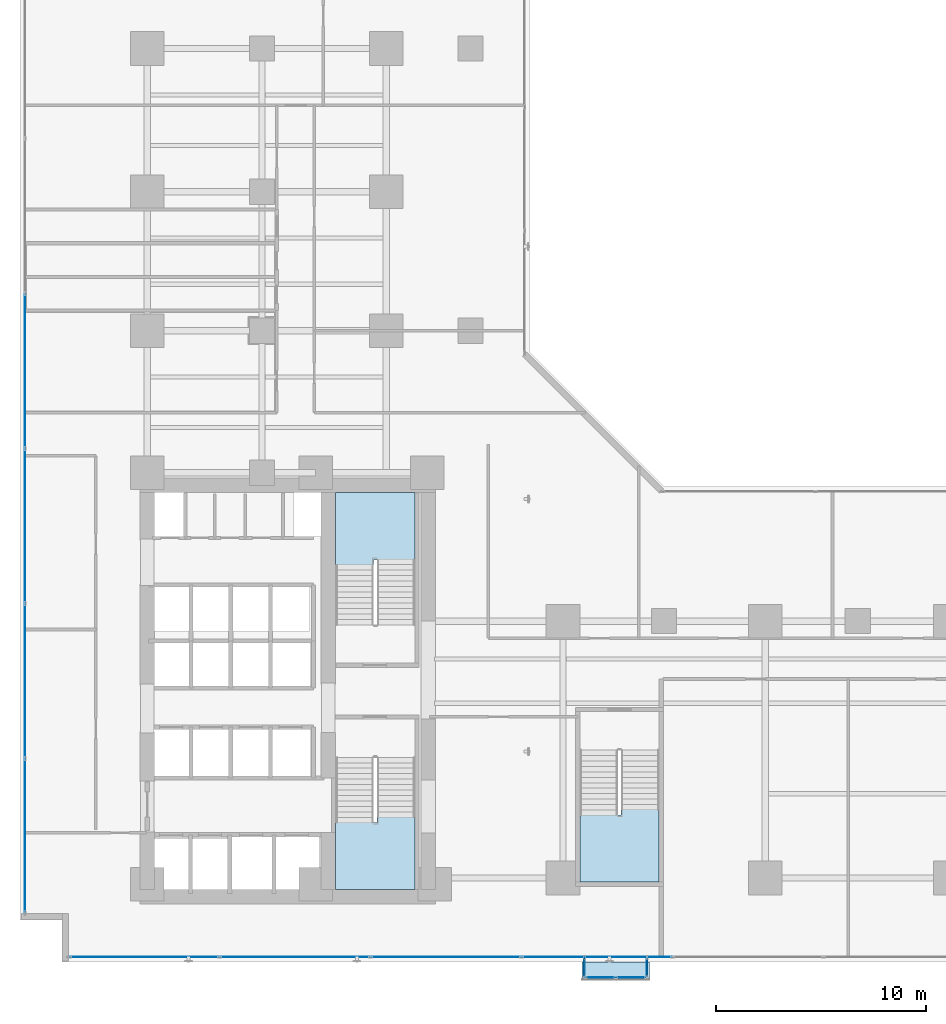
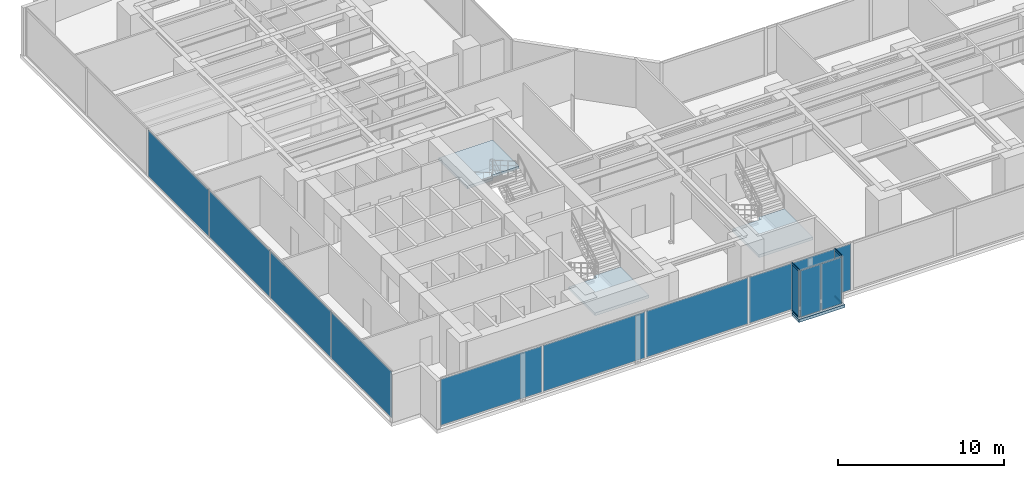
# One storey, part 20 of 26: 12 plates, 4 members, 4 slabs, 8 elements without a shape of their own.
"""IFC4 building model written with IfcOpenShell, lengths in metres."""

from ifc_helpers import new_model, si_unit, direction, frame, origin, origin_with_axes, origin_2d, place, context, subcontext, project, spatial, polyline, rectangle, hollow_rectangle, outline, extrude, source, transform, mapped, material, layer, layer_set, material_profile, profile_set, type_object, element, aggregate, save


model = new_model("IFC4")

# Units and contexts
model_context = context("Model", 3, precision=1e-05, world=origin(), true_north=direction((0.0, 1.0)))
body_context = subcontext(model_context, "Body", "Model", "MODEL_VIEW")
ifc_project = project(units=[si_unit("LENGTHUNIT", "METRE"), si_unit("AREAUNIT", "SQUARE_METRE"), si_unit("VOLUMEUNIT", "CUBIC_METRE"), si_unit("PLANEANGLEUNIT", "RADIAN"), si_unit("MASSUNIT", "GRAM", prefix="KILO")], contexts=[model_context])

# Site, building, storey
site_placement = place(None, origin())
site = spatial("IfcSite", under=ifc_project, at=site_placement, CompositionType="ELEMENT")
building_placement = place(site_placement, origin())
building = spatial("IfcBuilding", under=site, at=building_placement, Name="Kolvaren Waterfront Exchange", CompositionType="ELEMENT")
storey_placement = place(building_placement, frame((0.0, 0.0, 48.60009765625)))
storey = spatial("IfcBuildingStorey", under=building, at=storey_placement, Name="L12", CompositionType="ELEMENT", Elevation=48.60009765625)

# Curtain wall, members
ifc_material_1 = material(Name="Anodised bronze aluminium 6063-T6", Category="aluminium")
ifc_layer_1 = layer(ifc_material_1, 0.219970703125, Name="Anodised bronze aluminium 6063-T6")
ifc_layer_set_1 = layer_set([ifc_layer_1], Name="Anodised bronze aluminium 6063-T6")
curtain_wall_type_1 = type_object("IfcCurtainWallType", Name="ARC-CW-SYS3", PredefinedType="USERDEFINED", material=ifc_layer_set_1)
curtain_wall_1_placement = place(storey_placement, origin())
curtain_wall_1 = element("IfcCurtainWall", 1, at=curtain_wall_1_placement, inside=storey, type_object=curtain_wall_type_1, Name="L12 stick curtain wall CW3 (CW-L12-BOX-W)", ObjectType="STICK CURTAIN WALL", PredefinedType="USERDEFINED")
ifc_material_profile = material_profile(ifc_material_1, hollow_rectangle(XDim=0.06494140625, YDim=0.1298828125, WallThickness=0.00390625, at=origin_2d()), Name="ALU-TRN-130x65x4")
ifc_profile_set = profile_set([ifc_material_profile], Name="Anodised bronze aluminium 6063-T6")
member_type = type_object("IfcMemberType", Name="ARC-CWT-130", PredefinedType="USERDEFINED", material=ifc_profile_set)
shared_shape_1 = source(origin_with_axes(), body_context, "Body", "SweptSolid", [
    extrude(hollow_rectangle(XDim=0.06494140625, YDim=0.1298828125, WallThickness=0.00390625, at=origin_2d()), origin(), (0.0, 0.0, 1.0), 0.830078125),
])
member_1_placement = place(storey_placement, frame((28.2099609375, 1.364990234375, 0.032470703125), z_axis=(0.0, -1.0, 0.0), x_axis=(1.0, 0.0, 0.0)))
member_1 = element("IfcMember", 2, at=member_1_placement, type_object=member_type, Name="CW3 transom 1.1", ObjectType="TRANSOM", PredefinedType="USERDEFINED", context=body_context, shape_type="MappedRepresentation", body=[
    mapped(shared_shape_1, transform((0.0, 0.0, 0.0), x_axis=(1.0, 0.0, 0.0), y_axis=(0.0, 1.0, 0.0), z_axis=(0.0, 0.0, 1.0), scale=1.0)),
])
member_2_placement = place(storey_placement, frame((28.2099609375, 1.364990234375, 3.50732421875), z_axis=(0.0, -1.0, 0.0), x_axis=(1.0, 0.0, 0.0)))
member_2 = element("IfcMember", 3, at=member_2_placement, type_object=member_type, Name="CW3 transom 1.2", ObjectType="TRANSOM", PredefinedType="USERDEFINED", context=body_context, shape_type="MappedRepresentation", body=[
    mapped(shared_shape_1, transform((0.0, 0.0, 0.0), x_axis=(1.0, 0.0, 0.0), y_axis=(0.0, 1.0, 0.0), z_axis=(0.0, 0.0, 1.0), scale=1.0)),
])

curtain_wall_2_placement = place(storey_placement, origin())
curtain_wall_2 = element("IfcCurtainWall", 4, at=curtain_wall_2_placement, inside=storey, type_object=curtain_wall_type_1, Name="L12 stick curtain wall CW3 (CW-L12-BOX-E)", ObjectType="STICK CURTAIN WALL", PredefinedType="USERDEFINED")
member_3_placement = place(storey_placement, frame((31.18994140625, 0.534912109375, 0.032470703125), z_axis=(0.0, 1.0, 0.0), x_axis=(-1.0, 0.0, 0.0)))
member_3 = element("IfcMember", 5, at=member_3_placement, type_object=member_type, Name="CW3 transom 1.1", ObjectType="TRANSOM", PredefinedType="USERDEFINED", context=body_context, shape_type="MappedRepresentation", body=[
    mapped(shared_shape_1, transform((0.0, 0.0, 0.0), x_axis=(1.0, 0.0, 0.0), y_axis=(0.0, 1.0, 0.0), z_axis=(0.0, 0.0, 1.0), scale=1.0)),
])
member_4_placement = place(storey_placement, frame((31.18994140625, 0.534912109375, 3.50732421875), z_axis=(0.0, 1.0, 0.0), x_axis=(-1.0, 0.0, 0.0)))
member_4 = element("IfcMember", 6, at=member_4_placement, type_object=member_type, Name="CW3 transom 1.2", ObjectType="TRANSOM", PredefinedType="USERDEFINED", context=body_context, shape_type="MappedRepresentation", body=[
    mapped(shared_shape_1, transform((0.0, 0.0, 0.0), x_axis=(1.0, 0.0, 0.0), y_axis=(0.0, 1.0, 0.0), z_axis=(0.0, 0.0, 1.0), scale=1.0)),
])

# Stair, slab
ifc_material_2 = material(Name="Concrete C40/50", Category="concrete")
stair_type = type_object("IfcStairType", Name="ARC-STAIR-3800", PredefinedType="HALF_TURN_STAIR", material=ifc_material_2)
stair_1_placement = place(storey_placement, origin())
stair_1 = element("IfcStair", 7, at=stair_1_placement, inside=storey, type_object=stair_type, Name="L12 Smoke-proof exit stair ST1", PredefinedType="HALF_TURN_STAIR")
ifc_layer_2 = layer(ifc_material_2, 0.199951171875, Name="Concrete C40/50")
ifc_layer_set_2 = layer_set([ifc_layer_2], Name="Concrete C40/50")
slab_type_1 = type_object("IfcSlabType", Name="STR-LANDING-200", PredefinedType="LANDING", material=ifc_layer_set_2)
slab_1_placement = place(storey_placement, frame((0.0, 0.0, 1.77587890625)))
slab_1 = element("IfcSlab", 8, at=slab_1_placement, type_object=slab_type_1, Name="ST1 landing 1", PredefinedType="LANDING", context=body_context, shape_type="SweptSolid", body=[
    extrude(outline(polyline([(16.39990234375, 7.840087890625), (16.39990234375, 4.64990234375), (20.159912109375, 4.64990234375), (20.159912109375, 8.10009765625), (18.360107421875, 8.10009765625), (18.360107421875, 7.840087890625), (16.39990234375, 7.840087890625)])), origin(), (0.0, 0.0, 1.0), 0.199951171875),
])
aggregate(stair_1, [slab_1])

stair_2_placement = place(storey_placement, origin())
stair_2 = element("IfcStair", 9, at=stair_2_placement, inside=storey, type_object=stair_type, Name="L12 Smoke-proof exit stair ST2", PredefinedType="HALF_TURN_STAIR")
slab_2_placement = place(storey_placement, frame((0.0, 0.0, 1.77587890625)))
slab_2 = element("IfcSlab", 10, at=slab_2_placement, type_object=slab_type_1, Name="ST2 landing 1", PredefinedType="LANDING", context=body_context, shape_type="SweptSolid", body=[
    extrude(outline(polyline([(20.159912109375, 20.31005859375), (20.159912109375, 23.5), (16.39990234375, 23.5), (16.39990234375, 20.050048828125), (18.199951171875, 20.050048828125), (18.199951171875, 20.31005859375), (20.159912109375, 20.31005859375)])), origin(), (0.0, 0.0, 1.0), 0.199951171875),
])
aggregate(stair_2, [slab_2])

stair_3_placement = place(storey_placement, origin())
stair_3 = element("IfcStair", 11, at=stair_3_placement, inside=storey, type_object=stair_type, Name="L12 Exit stair ST3", PredefinedType="HALF_TURN_STAIR")
slab_3_placement = place(storey_placement, frame((0.0, 0.0, 1.77587890625)))
slab_3 = element("IfcSlab", 12, at=slab_3_placement, type_object=slab_type_1, Name="ST3 landing 1", PredefinedType="LANDING", context=body_context, shape_type="SweptSolid", body=[
    extrude(outline(polyline([(28.0, 8.18994140625), (28.0, 5.0), (31.760009765625, 5.0), (31.760009765625, 8.449951171875), (29.9599609375, 8.449951171875), (29.9599609375, 8.18994140625), (28.0, 8.18994140625)])), origin(), (0.0, 0.0, 1.0), 0.199951171875),
])
aggregate(stair_3, [slab_3])

# Slab
ifc_layer_3 = layer(ifc_material_2, 0.219970703125, Name="Concrete C40/50")
ifc_layer_set_3 = layer_set([ifc_layer_3], Name="Concrete C40/50")
slab_type_2 = type_object("IfcSlabType", Name="STR-TERR-220", PredefinedType="FLOOR", material=ifc_layer_set_3)
slab_4_placement = place(storey_placement, frame((0.0, 0.0, -0.22021484375)))
element("IfcSlab", 13, at=slab_4_placement, inside=storey, type_object=slab_type_2, Name="L12 projecting bay-box floor strip", PredefinedType="FLOOR", context=body_context, shape_type="SweptSolid", body=[
    extrude(outline(polyline([(28.10009765625, 0.35009765625), (31.300048828125, 0.35009765625), (31.300048828125, 1.199951171875), (28.10009765625, 1.199951171875), (28.10009765625, 0.35009765625)])), origin(), (0.0, 0.0, 1.0), 0.22021484375),
])

# Curtain wall, plates
ifc_layer_4 = layer(ifc_material_1, 0.219970703125, Name="Anodised bronze aluminium 6063-T6")
ifc_layer_set_4 = layer_set([ifc_layer_4], Name="Anodised bronze aluminium 6063-T6")
curtain_wall_type_2 = type_object("IfcCurtainWallType", Name="ARC-CW-SYS1", PredefinedType="USERDEFINED", material=ifc_layer_set_4)
curtain_wall_3_placement = place(storey_placement, origin())
curtain_wall_3 = element("IfcCurtainWall", 14, at=curtain_wall_3_placement, inside=storey, type_object=curtain_wall_type_2, Name="L12 stick curtain wall CW1 (CW-L12-S)", ObjectType="STICK CURTAIN WALL", PredefinedType="USERDEFINED")
ifc_material_3 = material(Name="Bronze solar control vision glass", Category="aluminium")
ifc_layer_5 = layer(ifc_material_3, 0.028076171875, Name="Bronze solar control vision glass")
ifc_layer_set_5 = layer_set([ifc_layer_5], Name="Bronze solar control vision glass")
plate_type_1 = type_object("IfcPlateType", Name="ARC-CWP-28", PredefinedType="CURTAIN_PANEL", material=ifc_layer_set_5)
shared_shape_2 = source(origin_with_axes(), body_context, "Body", "SweptSolid", [
    extrude(rectangle(XDim=7.054931640625, YDim=0.028076171875, at=origin_2d()), origin(), (0.0, 0.0, 1.0), 3.389892578125),
])
plate_1_placement = place(storey_placement, frame((7.3076171875, 1.43994140625, 0.0751953125), z_axis=(0.0, 0.0, 1.0), x_axis=(1.0, 0.0, 0.0)))
plate_1 = element("IfcPlate", 15, at=plate_1_placement, type_object=plate_type_1, Name="CW1 panel 1.1", PredefinedType="CURTAIN_PANEL", context=body_context, shape_type="MappedRepresentation", body=[
    mapped(shared_shape_2, transform((0.0, 0.0, 0.0), x_axis=(1.0, 0.0, 0.0), y_axis=(0.0, 1.0, 0.0), z_axis=(0.0, 0.0, 1.0), scale=1.0)),
])
shared_shape_3 = source(origin_with_axes(), body_context, "Body", "SweptSolid", [
    extrude(rectangle(XDim=7.094970703125, YDim=0.028076171875, at=origin_2d()), origin(), (0.0, 0.0, 1.0), 3.389892578125),
])
plate_2_placement = place(storey_placement, frame((14.46240234375, 1.43994140625, 0.0751953125), z_axis=(0.0, 0.0, 1.0), x_axis=(1.0, 0.0, 0.0)))
plate_2 = element("IfcPlate", 16, at=plate_2_placement, type_object=plate_type_1, Name="CW1 panel 2.1", PredefinedType="CURTAIN_PANEL", context=body_context, shape_type="MappedRepresentation", body=[
    mapped(shared_shape_3, transform((0.0, 0.0, 0.0), x_axis=(1.0, 0.0, 0.0), y_axis=(0.0, 1.0, 0.0), z_axis=(0.0, 0.0, 1.0), scale=1.0)),
])
plate_3_placement = place(storey_placement, frame((21.637451171875, 1.43994140625, 0.0751953125), z_axis=(0.0, 0.0, 1.0), x_axis=(1.0, 0.0, 0.0)))
plate_3 = element("IfcPlate", 17, at=plate_3_placement, type_object=plate_type_1, Name="CW1 panel 3.1", PredefinedType="CURTAIN_PANEL", context=body_context, shape_type="MappedRepresentation", body=[
    mapped(shared_shape_3, transform((0.0, 0.0, 0.0), x_axis=(1.0, 0.0, 0.0), y_axis=(0.0, 1.0, 0.0), z_axis=(0.0, 0.0, 1.0), scale=1.0)),
])
plate_4_placement = place(storey_placement, frame((28.8125, 1.43994140625, 0.0751953125), z_axis=(0.0, 0.0, 1.0), x_axis=(1.0, 0.0, 0.0)))
plate_4 = element("IfcPlate", 18, at=plate_4_placement, type_object=plate_type_1, Name="CW1 panel 4.1", PredefinedType="CURTAIN_PANEL", context=body_context, shape_type="MappedRepresentation", body=[
    mapped(shared_shape_3, transform((0.0, 0.0, 0.0), x_axis=(1.0, 0.0, 0.0), y_axis=(0.0, 1.0, 0.0), z_axis=(0.0, 0.0, 1.0), scale=1.0)),
])
aggregate(curtain_wall_3, [plate_1, plate_2, plate_3, plate_4])

ifc_material_4 = material(Name="Anodised aluminium 6063-T6", Category="aluminium")
ifc_layer_6 = layer(ifc_material_4, 0.219970703125, Name="Anodised aluminium 6063-T6")
ifc_layer_set_6 = layer_set([ifc_layer_6], Name="Anodised aluminium 6063-T6")
curtain_wall_type_3 = type_object("IfcCurtainWallType", Name="ARC-CW-SYS2", PredefinedType="USERDEFINED", material=ifc_layer_set_6)
curtain_wall_4_placement = place(storey_placement, origin())
curtain_wall_4 = element("IfcCurtainWall", 19, at=curtain_wall_4_placement, inside=storey, type_object=curtain_wall_type_3, Name="L12 stick curtain wall CW2 (CW-L12-W)", ObjectType="STICK CURTAIN WALL", PredefinedType="USERDEFINED")
ifc_material_5 = material(Name="Acoustic laminated vision glass", Category="glass")
ifc_layer_7 = layer(ifc_material_5, 0.031982421875, Name="Acoustic laminated vision glass")
ifc_layer_set_7 = layer_set([ifc_layer_7], Name="Acoustic laminated vision glass")
plate_type_2 = type_object("IfcPlateType", Name="ARC-CWP-32", PredefinedType="CURTAIN_PANEL", material=ifc_layer_set_7)
shared_shape_4 = source(origin_with_axes(), body_context, "Body", "SweptSolid", [
    extrude(rectangle(XDim=7.24658203125, YDim=0.031982421875, at=origin_2d()), origin(), (0.0, 0.0, 1.0), 3.389892578125),
])
plate_5_placement = place(storey_placement, frame((1.639892578125, 7.203369140625, 0.0751953125), z_axis=(0.0, 0.0, 1.0), x_axis=(0.0, 1.0, 0.0)))
plate_5 = element("IfcPlate", 20, at=plate_5_placement, type_object=plate_type_2, Name="CW2 panel 1.1", PredefinedType="CURTAIN_PANEL", context=body_context, shape_type="MappedRepresentation", body=[
    mapped(shared_shape_4, transform((0.0, 0.0, 0.0), x_axis=(1.0, 0.0, 0.0), y_axis=(0.0, 1.0, 0.0), z_axis=(0.0, 0.0, 1.0), scale=1.0)),
])
shared_shape_5 = source(origin_with_axes(), body_context, "Body", "SweptSolid", [
    extrude(rectangle(XDim=7.28662109375, YDim=0.031982421875, at=origin_2d()), origin(), (0.0, 0.0, 1.0), 3.389892578125),
])
plate_6_placement = place(storey_placement, frame((1.639892578125, 14.550048828125, 0.0751953125), z_axis=(0.0, 0.0, 1.0), x_axis=(0.0, 1.0, 0.0)))
plate_6 = element("IfcPlate", 21, at=plate_6_placement, type_object=plate_type_2, Name="CW2 panel 2.1", PredefinedType="CURTAIN_PANEL", context=body_context, shape_type="MappedRepresentation", body=[
    mapped(shared_shape_5, transform((0.0, 0.0, 0.0), x_axis=(1.0, 0.0, 0.0), y_axis=(0.0, 1.0, 0.0), z_axis=(0.0, 0.0, 1.0), scale=1.0)),
])
plate_7_placement = place(storey_placement, frame((1.639892578125, 21.916748046875, 0.0751953125), z_axis=(0.0, 0.0, 1.0), x_axis=(0.0, 1.0, 0.0)))
plate_7 = element("IfcPlate", 22, at=plate_7_placement, type_object=plate_type_2, Name="CW2 panel 3.1", PredefinedType="CURTAIN_PANEL", context=body_context, shape_type="MappedRepresentation", body=[
    mapped(shared_shape_5, transform((0.0, 0.0, 0.0), x_axis=(1.0, 0.0, 0.0), y_axis=(0.0, 1.0, 0.0), z_axis=(0.0, 0.0, 1.0), scale=1.0)),
])
plate_8_placement = place(storey_placement, frame((1.639892578125, 29.283447265625, 0.0751953125), z_axis=(0.0, 0.0, 1.0), x_axis=(0.0, 1.0, 0.0)))
plate_8 = element("IfcPlate", 23, at=plate_8_placement, type_object=plate_type_2, Name="CW2 panel 4.1", PredefinedType="CURTAIN_PANEL", context=body_context, shape_type="MappedRepresentation", body=[
    mapped(shared_shape_5, transform((0.0, 0.0, 0.0), x_axis=(1.0, 0.0, 0.0), y_axis=(0.0, 1.0, 0.0), z_axis=(0.0, 0.0, 1.0), scale=1.0)),
])
aggregate(curtain_wall_4, [plate_5, plate_6, plate_7, plate_8])

# Plate
ifc_material_6 = material(Name="Bronze tinted bay-box vision glass", Category="aluminium")
ifc_layer_8 = layer(ifc_material_6, 0.02392578125, Name="Bronze tinted bay-box vision glass")
ifc_layer_set_8 = layer_set([ifc_layer_8], Name="Bronze tinted bay-box vision glass")
plate_type_3 = type_object("IfcPlateType", Name="ARC-CWP-24", PredefinedType="CURTAIN_PANEL", material=ifc_layer_set_8)
shared_shape_6 = source(origin_with_axes(), body_context, "Body", "SweptSolid", [
    extrude(rectangle(XDim=0.830078125, YDim=0.02392578125, at=origin_2d()), origin(), (0.0, 0.0, 1.0), 3.409912109375),
])
plate_9_placement = place(storey_placement, frame((28.2099609375, 0.949951171875, 0.06494140625), z_axis=(0.0, 0.0, 1.0), x_axis=(0.0, -1.0, 0.0)))
plate_9 = element("IfcPlate", 24, at=plate_9_placement, type_object=plate_type_3, Name="CW3 panel 1.1", PredefinedType="CURTAIN_PANEL", context=body_context, shape_type="MappedRepresentation", body=[
    mapped(shared_shape_6, transform((0.0, 0.0, 0.0), x_axis=(1.0, 0.0, 0.0), y_axis=(0.0, 1.0, 0.0), z_axis=(0.0, 0.0, 1.0), scale=1.0)),
])

aggregate(curtain_wall_1, [member_1, member_2, plate_9])

plate_10_placement = place(storey_placement, frame((31.18994140625, 0.949951171875, 0.06494140625), z_axis=(0.0, 0.0, 1.0), x_axis=(0.0, 1.0, 0.0)))
plate_10 = element("IfcPlate", 25, at=plate_10_placement, type_object=plate_type_3, Name="CW3 panel 1.1", PredefinedType="CURTAIN_PANEL", context=body_context, shape_type="MappedRepresentation", body=[
    mapped(shared_shape_6, transform((0.0, 0.0, 0.0), x_axis=(1.0, 0.0, 0.0), y_axis=(0.0, 1.0, 0.0), z_axis=(0.0, 0.0, 1.0), scale=1.0)),
])

aggregate(curtain_wall_2, [member_3, member_4, plate_10])

# Curtain wall, plates
curtain_wall_5_placement = place(storey_placement, origin())
curtain_wall_5 = element("IfcCurtainWall", 26, at=curtain_wall_5_placement, inside=storey, type_object=curtain_wall_type_1, Name="L12 stick curtain wall CW3 (CW-L12-BOX)", ObjectType="STICK CURTAIN WALL", PredefinedType="USERDEFINED")
shared_shape_7 = source(origin_with_axes(), body_context, "Body", "SweptSolid", [
    extrude(rectangle(XDim=1.37744140625, YDim=0.02392578125, at=origin_2d()), origin(), (0.0, 0.0, 1.0), 3.409912109375),
])
plate_11_placement = place(storey_placement, frame((28.9736328125, 0.4599609375, 0.06494140625), z_axis=(0.0, 0.0, 1.0), x_axis=(1.0, 0.0, 0.0)))
plate_11 = element("IfcPlate", 27, at=plate_11_placement, type_object=plate_type_3, Name="CW3 panel 1.1", PredefinedType="CURTAIN_PANEL", context=body_context, shape_type="MappedRepresentation", body=[
    mapped(shared_shape_7, transform((0.0, 0.0, 0.0), x_axis=(1.0, 0.0, 0.0), y_axis=(0.0, 1.0, 0.0), z_axis=(0.0, 0.0, 1.0), scale=1.0)),
])
plate_12_placement = place(storey_placement, frame((30.42626953125, 0.4599609375, 0.06494140625), z_axis=(0.0, 0.0, 1.0), x_axis=(1.0, 0.0, 0.0)))
plate_12 = element("IfcPlate", 28, at=plate_12_placement, type_object=plate_type_3, Name="CW3 panel 2.1", PredefinedType="CURTAIN_PANEL", context=body_context, shape_type="MappedRepresentation", body=[
    mapped(shared_shape_7, transform((0.0, 0.0, 0.0), x_axis=(1.0, 0.0, 0.0), y_axis=(0.0, 1.0, 0.0), z_axis=(0.0, 0.0, 1.0), scale=1.0)),
])
aggregate(curtain_wall_5, [plate_11, plate_12])

save(model, "model.ifc")
